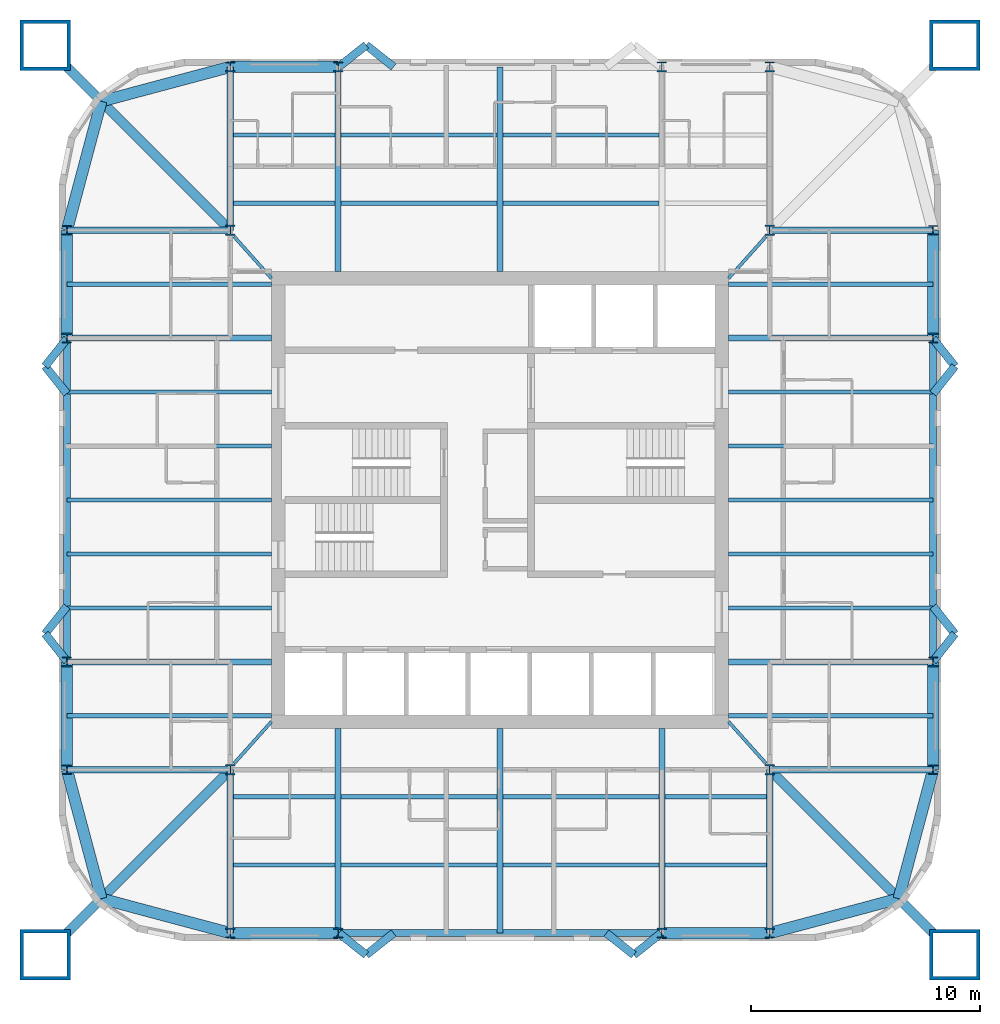
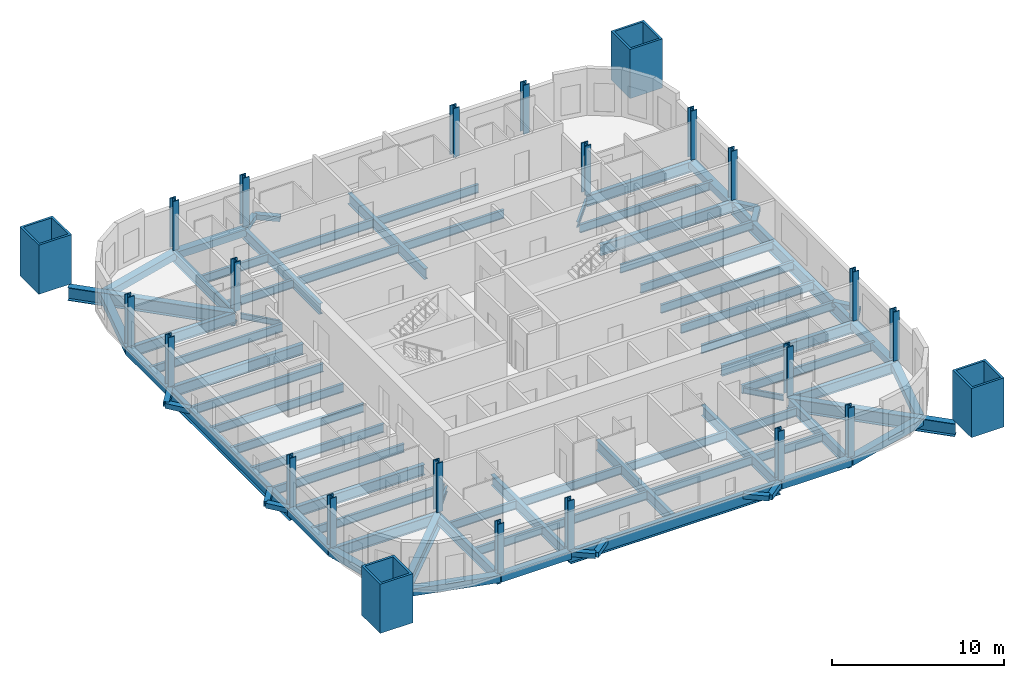
# One storey, part 1 of 9: 81 beams, 24 columns.
"""IFC4 building model written with IfcOpenShell, lengths in metres."""

import ifcopenshell
import ifcopenshell.guid

model = None  # the IFC model being written
_history = None  # IfcOwnerHistory: only IFC2X3 demands one
_inside = {}  # id of a spatial element -> (the spatial element, [elements in it])
_under = {}  # id of a project, library or spatial element -> (it, [spatial elements below it])
_declared = {}  # id of a project -> (the project, [libraries it declares])
_typed = {}  # id of a type object -> (the type object, [elements of that type])
_made_of = {}  # id of a material, layer set ... -> (it, [elements and type objects made of it])


def new_model(schema):
    """Start an empty IFC model of exactly this schema.

    Asked for "IFC4X3", IfcOpenShell would pick the latest addendum, in which some entities
    have other attributes; the version numbers below select the first issue.
    IFC2X3 requires an IfcOwnerHistory on every rooted entity: one is made here for all.
    """
    global model, _history
    if schema == "IFC4X3":
        model = ifcopenshell.file(schema_version=(4, 3, 0, 0))
    else:
        model = ifcopenshell.file(schema=schema)
    _inside.clear()
    _under.clear()
    _declared.clear()
    _typed.clear()
    _made_of.clear()
    _history = None
    if model.schema == "IFC2X3":
        org = make("IfcOrganization", Name="unknown")
        user = make(
            "IfcPersonAndOrganization",
            ThePerson=make("IfcPerson", FamilyName="unknown"),
            TheOrganization=org,
        )
        app = make(
            "IfcApplication",
            ApplicationDeveloper=org,
            Version="unknown",
            ApplicationFullName="unknown",
            ApplicationIdentifier="unknown",
        )
        _history = make(
            "IfcOwnerHistory",
            OwningUser=user,
            OwningApplication=app,
            ChangeAction="ADDED",
            CreationDate=0,
        )
    return model


def make(cls, **values):
    """One entity of the class cls with the attributes given. An attribute that is None is left unset."""
    return model.create_entity(
        cls, **{name: value for name, value in values.items() if value is not None}
    )


def rooted(cls, **values):
    """An entity with a GlobalId (a new one), such as an element, a storey or a relation."""
    return make(cls, GlobalId=ifcopenshell.guid.new(), OwnerHistory=_history, **values)


def si_unit(unit_type, name, prefix=None):
    """IfcSIUnit, for example si_unit("LENGTHUNIT", "METRE", prefix="MILLI")."""
    return make("IfcSIUnit", UnitType=unit_type, Prefix=prefix, Name=name)


def assignment(units):
    """IfcUnitAssignment: the units of a project."""
    return None if units is None else make("IfcUnitAssignment", Units=units)


def point(xyz):
    """IfcCartesianPoint."""
    return None if xyz is None else make("IfcCartesianPoint", Coordinates=xyz)


def direction(xyz):
    """IfcDirection."""
    return None if xyz is None else make("IfcDirection", DirectionRatios=xyz)


def frame(location, z_axis=None, x_axis=None):
    """IfcAxis2Placement3D, a coordinate frame: its origin and axes. An axis left out is left unset."""
    return make(
        "IfcAxis2Placement3D",
        Location=point(location),
        Axis=direction(z_axis),
        RefDirection=direction(x_axis),
    )


def frame_2d(location, x_axis=None):
    """IfcAxis2Placement2D, a coordinate frame in the plane: its origin and x axis."""
    return make(
        "IfcAxis2Placement2D", Location=point(location), RefDirection=direction(x_axis)
    )


def origin():
    """The frame at (0, 0, 0) with its axes left unset."""
    return frame((0.0, 0.0, 0.0))


def origin_2d():
    """The frame at (0, 0) in the plane with its x axis left unset."""
    return frame_2d((0.0, 0.0))


def place(relative_to, where):
    """IfcLocalPlacement: puts the frame where relative to a parent placement (None: the world)."""
    return make(
        "IfcLocalPlacement", PlacementRelTo=relative_to, RelativePlacement=where
    )


def context(
    kind, dimensions, precision=None, world=None, true_north=None, identifier=None
):
    """IfcGeometricRepresentationContext, for example the 3D "Model" context."""
    return make(
        "IfcGeometricRepresentationContext",
        ContextIdentifier=identifier,
        ContextType=kind,
        CoordinateSpaceDimension=dimensions,
        Precision=precision,
        WorldCoordinateSystem=world,
        TrueNorth=true_north,
    )


def subcontext(parent, identifier, kind, view, scale=None):
    """IfcGeometricRepresentationSubContext, for example "Body" below "Model"."""
    return make(
        "IfcGeometricRepresentationSubContext",
        ContextIdentifier=identifier,
        ContextType=kind,
        ParentContext=parent,
        TargetScale=scale,
        TargetView=view,
    )


def project(units=None, contexts=None):
    """IfcProject with its units and contexts."""
    return rooted(
        "IfcProject",
        Name="project",
        RepresentationContexts=contexts,
        UnitsInContext=assignment(units),
    )


def spatial(cls, under=None, at=None, **own):
    """A site, building, storey or space (cls), placed at a placement, below another one or the project."""
    s = rooted(cls, ObjectPlacement=at, **own)
    if under is not None:
        _under.setdefault(under.id(), (under, []))[1].append(s)
    return s


def profile(cls, at=None, kind="AREA", **sizes):
    """A parametric profile (cls). Its sizes go by their IFC names, for example OverallWidth=200.0."""
    return make(cls, ProfileType=kind, Position=at, **sizes)


def hollow_rectangle(**sizes):
    """IfcRectangleHollowProfileDef."""
    return profile("IfcRectangleHollowProfileDef", **sizes)


def i_section(**sizes):
    """IfcIShapeProfileDef."""
    return profile("IfcIShapeProfileDef", **sizes)


def extrude(swept, where, along, depth):
    """IfcExtrudedAreaSolid: the profile swept, set in the frame where, extruded along a direction by depth."""
    return make(
        "IfcExtrudedAreaSolid",
        SweptArea=swept,
        Position=where,
        ExtrudedDirection=direction(along),
        Depth=depth,
    )


def shape(context_of_items, identifier, shape_type, items):
    """IfcShapeRepresentation: the items that make up one representation, for example the "Body"."""
    return make(
        "IfcShapeRepresentation",
        ContextOfItems=context_of_items,
        RepresentationIdentifier=identifier,
        RepresentationType=shape_type,
        Items=items,
    )


def material(Name=None, Category=None):
    """IfcMaterial."""
    return make("IfcMaterial", Name=Name, Category=Category)


def material_profile(
    of_material, cross_section, Name=None, Category=None, Priority=None
):
    """IfcMaterialProfile: a cross section and its material."""
    return make(
        "IfcMaterialProfile",
        Name=Name,
        Material=of_material,
        Profile=cross_section,
        Priority=Priority,
        Category=Category,
    )


def profile_set(profiles, Name=None, composite=None):
    """IfcMaterialProfileSet."""
    return make(
        "IfcMaterialProfileSet",
        Name=Name,
        MaterialProfiles=profiles,
        CompositeProfile=composite,
    )


def made_of(thing, what):
    """Note that an element or type object is made of a material, layer set ...; save() writes the relation."""
    if what is not None:
        _made_of.setdefault(what.id(), (what, []))[1].append(thing)
    return thing


def type_object(cls, material=None, **own):
    """A type object (cls), such as IfcWallType, which elements share."""
    return made_of(rooted(cls, **own), material)


def element(
    cls,
    number,
    at=None,
    inside=None,
    cuts=None,
    type_object=None,
    material=None,
    context=None,
    identifier="Body",
    shape_type=None,
    held_by="IfcProductDefinitionShape",
    body=None,
    shapes=None,
    **own,
):
    """One element of the class cls, such as IfcWall. Its Tag is "e" and its number.

    at: its placement. inside: the storey or other place that contains it. cuts: it is an
    opening in that element (IfcRelVoidsElement). A single representation is given by context,
    identifier, shape_type and body (its items); several are given by shapes. held_by: the class
    of the entity that holds the representations. save() writes the other relations.
    """
    e = rooted(cls, Tag="e%d" % number, ObjectPlacement=at, **own)
    if body is not None:
        shapes = [shape(context, identifier, shape_type, body)]
    if shapes is not None:
        e.Representation = make(held_by, Representations=shapes)
    if inside is not None:
        _inside.setdefault(inside.id(), (inside, []))[1].append(e)
    if cuts is not None:
        rooted(
            "IfcRelVoidsElement", RelatingBuildingElement=cuts, RelatedOpeningElement=e
        )
    if type_object is not None:
        _typed.setdefault(type_object.id(), (type_object, []))[1].append(e)
    return made_of(e, material)


def aggregate(whole, parts):
    """IfcRelAggregates: a whole, such as a stair, and the parts it consists of."""
    return rooted("IfcRelAggregates", RelatingObject=whole, RelatedObjects=parts)


def save(model, path):
    """Write the relations noted so far, then the file.

    IfcRelAggregates (storeys below a building ...), IfcRelContainedInSpatialStructure (elements
    in a storey), IfcRelDefinesByType, IfcRelAssociatesMaterial and IfcRelDeclares: one each for
    every whole, place, type object, material and project.
    """
    for whole, parts in _under.values():
        aggregate(whole, parts)
    for where, things in _inside.values():
        rooted(
            "IfcRelContainedInSpatialStructure",
            RelatedElements=things,
            RelatingStructure=where,
        )
    for kind, things in _typed.values():
        rooted("IfcRelDefinesByType", RelatedObjects=things, RelatingType=kind)
    for what, things in _made_of.values():
        rooted("IfcRelAssociatesMaterial", RelatedObjects=things, RelatingMaterial=what)
    for by, libraries in _declared.values():
        rooted("IfcRelDeclares", RelatingContext=by, RelatedDefinitions=libraries)
    model.write(path)


model = new_model("IFC4")

# Units and contexts
model_context = context("Model", 3, precision=1e-05, world=origin(), true_north=direction((0.0, 1.0)))
body_context = subcontext(model_context, "Body", "Model", "MODEL_VIEW")
ifc_project = project(units=[si_unit("LENGTHUNIT", "METRE"), si_unit("AREAUNIT", "SQUARE_METRE"), si_unit("VOLUMEUNIT", "CUBIC_METRE"), si_unit("PLANEANGLEUNIT", "RADIAN"), si_unit("MASSUNIT", "GRAM", prefix="KILO")], contexts=[model_context])

# Site, building, storey
site_placement = place(None, origin())
site = spatial("IfcSite", under=ifc_project, at=site_placement, CompositionType="ELEMENT")
building_placement = place(site_placement, origin())
building = spatial("IfcBuilding", under=site, at=building_placement, Name="Turquesa Mirador Hotel Tower", CompositionType="ELEMENT")
storey_placement = place(building_placement, frame((0.0, 0.0, 182.800048828125)))
storey = spatial("IfcBuildingStorey", under=building, at=storey_placement, Name="L49", CompositionType="ELEMENT", Elevation=182.800048828125)

# Columns
ifc_material_1 = material(Name="Steel ASTM A992 Grade 50", Category="steel")
ifc_material_profile_1 = material_profile(ifc_material_1, i_section(OverallWidth=0.411376953125, OverallDepth=0.434326171875, WebThickness=0.035888671875, FlangeThickness=0.057373046875, at=origin_2d()), Name="W14X311")
ifc_profile_set_1 = profile_set([ifc_material_profile_1], Name="Steel ASTM A992 Grade 50")
column_type_1 = type_object("IfcColumnType", Name="COLUMN W14X311", PredefinedType="COLUMN", material=ifc_profile_set_1)
for number, where, z_axis, x_axis, name in (
    (1, (36.050048828125, 33.199951171875, 0.0), (0.0, 0.0, 1.0), (1.0, 0.0, 0.0), "COL-L49-P--18.95--11.80"),
    (2, (36.050048828125, 37.919921875, 0.0), (0.0, 0.0, 1.0), (1.0, 0.0, 0.0), "COL-L49-P--18.95--7.08"),
    (3, (36.050048828125, 52.080078125, 0.0), (0.0, 0.0, 1.0), (1.0, 0.0, 0.0), "COL-L49-P--18.95-+7.08"),
    (4, (36.050048828125, 56.800048828125, 0.0), (0.0, 0.0, 1.0), (1.0, 0.0, 0.0), "COL-L49-P--18.95-+11.80"),
    (5, (43.199951171875, 26.050048828125, 0.0), (0.0, 0.0, 1.0), (1.0, 0.0, 0.0), "COL-L49-P--11.80--18.95"),
    (6, (43.199951171875, 63.949951171875, 0.0), (0.0, 0.0, 1.0), (1.0, 0.0, 0.0), "COL-L49-P--11.80-+18.95"),
    (7, (47.919921875, 26.050048828125, 0.0), (0.0, 0.0, 1.0), (1.0, 0.0, 0.0), "COL-L49-P--7.08--18.95"),
    (8, (47.919921875, 63.949951171875, 0.0), (0.0, 0.0, 1.0), (1.0, 0.0, 0.0), "COL-L49-P--7.08-+18.95"),
    (9, (62.080078125, 26.050048828125, 0.0), (0.0, 0.0, 1.0), (1.0, 0.0, 0.0), "COL-L49-P-+7.08--18.95"),
    (10, (62.080078125, 63.949951171875, 0.0), (0.0, 0.0, 1.0), (1.0, 0.0, 0.0), "COL-L49-P-+7.08-+18.95"),
    (11, (66.800048828125, 26.050048828125, 0.0), (0.0, 0.0, 1.0), (1.0, 0.0, 0.0), "COL-L49-P-+11.80--18.95"),
    (12, (66.800048828125, 63.949951171875, 0.0), (0.0, 0.0, 1.0), (1.0, 0.0, 0.0), "COL-L49-P-+11.80-+18.95"),
    (13, (73.949951171875, 33.199951171875, 0.0), (0.0, 0.0, 1.0), (1.0, 0.0, 0.0), "COL-L49-P-+18.95--11.80"),
    (14, (73.949951171875, 37.919921875, 0.0), (0.0, 0.0, 1.0), (1.0, 0.0, 0.0), "COL-L49-P-+18.95--7.08"),
    (15, (73.949951171875, 52.080078125, 0.0), (0.0, 0.0, 1.0), (1.0, 0.0, 0.0), "COL-L49-P-+18.95-+7.08"),
    (16, (73.949951171875, 56.800048828125, 0.0), (0.0, 0.0, 1.0), (1.0, 0.0, 0.0), "COL-L49-P-+18.95-+11.80"),
):
    element("IfcColumn", number, at=place(storey_placement, frame(where, z_axis=z_axis, x_axis=x_axis)), inside=storey, type_object=column_type_1, Name=name, PredefinedType="COLUMN", context=body_context, shape_type="SweptSolid", body=[
        extrude(i_section(OverallWidth=0.411376953125, OverallDepth=0.434326171875, WebThickness=0.035888671875, FlangeThickness=0.057373046875, at=origin_2d()), origin(), (0.0, 0.0, 1.0), 3.5),
    ])
ifc_material_2 = material(Name="Steel ASTM A992 Grade 50", Category="steel")
ifc_material_profile_2 = material_profile(ifc_material_2, i_section(OverallWidth=0.421630859375, OverallDepth=0.46484375, WebThickness=0.044921875, FlangeThickness=0.072509765625, at=origin_2d()), Name="W14X398")
ifc_profile_set_2 = profile_set([ifc_material_profile_2], Name="Steel ASTM A992 Grade 50")
column_type_2 = type_object("IfcColumnType", Name="COLUMN W14X398", PredefinedType="COLUMN", material=ifc_profile_set_2)
for number, where, z_axis, x_axis, name in (
    (17, (43.199951171875, 33.199951171875, 0.0), (0.0, 0.0, 1.0), (1.0, 0.0, 0.0), "COL-L49-K--11.80--11.80"),
    (18, (43.199951171875, 56.800048828125, 0.0), (0.0, 0.0, 1.0), (1.0, 0.0, 0.0), "COL-L49-K--11.80-+11.80"),
    (19, (66.800048828125, 33.199951171875, 0.0), (0.0, 0.0, 1.0), (1.0, 0.0, 0.0), "COL-L49-K-+11.80--11.80"),
    (20, (66.800048828125, 56.800048828125, 0.0), (0.0, 0.0, 1.0), (1.0, 0.0, 0.0), "COL-L49-K-+11.80-+11.80"),
):
    element("IfcColumn", number, at=place(storey_placement, frame(where, z_axis=z_axis, x_axis=x_axis)), inside=storey, type_object=column_type_2, Name=name, PredefinedType="COLUMN", context=body_context, shape_type="SweptSolid", body=[
        extrude(i_section(OverallWidth=0.421630859375, OverallDepth=0.46484375, WebThickness=0.044921875, FlangeThickness=0.072509765625, at=origin_2d()), origin(), (0.0, 0.0, 1.0), 3.5),
    ])
ifc_material_3 = material(Name="Steel ASTM A514 Grade Q", Category="steel")
ifc_material_profile_3 = material_profile(ifc_material_3, hollow_rectangle(XDim=2.199951171875, YDim=2.199951171875, WallThickness=0.14990234375, at=origin_2d()), Name="BOX2200X2200X150")
ifc_profile_set_3 = profile_set([ifc_material_profile_3], Name="Steel ASTM A514 Grade Q")
column_type_3 = type_object("IfcColumnType", Name="MEGA COLUMN BOX2200X2200X150", PredefinedType="COLUMN", material=ifc_profile_set_3)
for number, where, z_axis, x_axis, name in (
    (21, (74.89990234375, 64.89990234375, 0.0), (0.0, 0.0, 1.0), (1.0, 0.0, 0.0), "Mega column M1"),
    (22, (35.10009765625, 64.89990234375, 0.0), (0.0, 0.0, 1.0), (1.0, 0.0, 0.0), "Mega column M2"),
    (23, (35.10009765625, 25.10009765625, 0.0), (0.0, 0.0, 1.0), (1.0, 0.0, 0.0), "Mega column M3"),
    (24, (74.89990234375, 25.10009765625, 0.0), (0.0, 0.0, 1.0), (1.0, 0.0, 0.0), "Mega column M4"),
):
    element("IfcColumn", number, at=place(storey_placement, frame(where, z_axis=z_axis, x_axis=x_axis)), inside=storey, type_object=column_type_3, Name=name, PredefinedType="COLUMN", context=body_context, shape_type="SweptSolid", body=[
        extrude(hollow_rectangle(XDim=2.199951171875, YDim=2.199951171875, WallThickness=0.14990234375, at=origin_2d()), origin(), (0.0, 0.0, 1.0), 3.5),
    ])

# Beams
ifc_material_4 = material(Name="Steel ASTM A572 Grade 50", Category="steel")
ifc_material_profile_4 = material_profile(ifc_material_4, hollow_rectangle(XDim=0.5, YDim=0.5, WallThickness=0.01611328125, at=origin_2d()), Name="BOX500X500X16")
ifc_profile_set_4 = profile_set([ifc_material_profile_4], Name="Steel ASTM A572 Grade 50")
beam_type_1 = type_object("IfcBeamType", Name="BEAM BOX500X500X16", PredefinedType="BEAM", material=ifc_profile_set_4)
for number, where, z_axis, x_axis, name in (
    (25, (43.199951171875, 63.949951171875, -0.420166015625), (1.0, 0.0, 0.0), (0.0, 1.0, 0.0), "EB-L49-N-L"),
    (26, (43.199951171875, 26.050048828125, -0.420166015625), (1.0, 0.0, 0.0), (0.0, 1.0, 0.0), "EB-L49-S-L"),
    (27, (62.080078125, 26.050048828125, -0.420166015625), (1.0, 0.0, 0.0), (0.0, 1.0, 0.0), "EB-L49-S-R"),
    (28, (73.949951171875, 33.199951171875, -0.420166015625), (0.0, 1.0, 0.0), (-1.0, 0.0, 0.0), "EB-L49-E-L"),
    (29, (73.949951171875, 52.080078125, -0.420166015625), (0.0, 1.0, 0.0), (-1.0, 0.0, 0.0), "EB-L49-E-R"),
    (30, (36.050048828125, 33.199951171875, -0.420166015625), (0.0, 1.0, 0.0), (-1.0, 0.0, 0.0), "EB-L49-W-L"),
    (31, (36.050048828125, 52.080078125, -0.420166015625), (0.0, 1.0, 0.0), (-1.0, 0.0, 0.0), "EB-L49-W-R"),
):
    element("IfcBeam", number, at=place(storey_placement, frame(where, z_axis=z_axis, x_axis=x_axis)), inside=storey, type_object=beam_type_1, Name=name, PredefinedType="BEAM", context=body_context, shape_type="SweptSolid", body=[
        extrude(hollow_rectangle(XDim=0.5, YDim=0.5, WallThickness=0.01611328125, at=origin_2d()), origin(), (0.0, 0.0, 1.0), 4.719970703125),
    ])
for number, where, z_axis, x_axis, name in (
    (32, (36.050048828125, 56.800048828125, -0.420166015625), (0.258281892145, 0.966069595935, 0.0), (-0.966069595935, 0.258281892145, 0.0), "KE-L49-2-0"),
    (33, (37.558349609375, 62.441650390625, -0.420166015625), (0.966069595935, 0.258281892145, 0.0), (-0.258281892145, 0.966069595935, 0.0), "KE-L49-2-1"),
    (34, (36.050048828125, 33.199951171875, -0.420166015625), (0.258281892145, -0.966069595935, 0.0), (0.966069595935, 0.258281892145, 0.0), "KE-L49-3-0"),
    (35, (37.558349609375, 27.558349609375, -0.420166015625), (0.966069595935, -0.258281892145, 0.0), (0.258281892145, 0.966069595935, 0.0), "KE-L49-3-1"),
    (36, (73.949951171875, 33.199951171875, -0.420166015625), (-0.258281892145, -0.966069595935, 0.0), (0.966069595935, -0.258281892145, 0.0), "KE-L49-4-0"),
    (37, (72.441650390625, 27.558349609375, -0.420166015625), (-0.966069595935, -0.258281892145, 0.0), (0.258281892145, -0.966069595935, 0.0), "KE-L49-4-1"),
):
    element("IfcBeam", number, at=place(storey_placement, frame(where, z_axis=z_axis, x_axis=x_axis)), inside=storey, type_object=beam_type_1, Name=name, PredefinedType="BEAM", context=body_context, shape_type="SweptSolid", body=[
        extrude(hollow_rectangle(XDim=0.5, YDim=0.5, WallThickness=0.01611328125, at=origin_2d()), origin(), (0.0, 0.0, 1.0), 5.83984375),
    ])
ifc_material_5 = material(Name="Steel ASTM A992 Grade 50", Category="steel")
ifc_material_profile_5 = material_profile(ifc_material_5, i_section(OverallWidth=0.140380859375, OverallDepth=0.40380859375, WebThickness=0.007080078125, FlangeThickness=0.01123046875, at=origin_2d()), Name="W16X31")
ifc_profile_set_5 = profile_set([ifc_material_profile_5], Name="Steel ASTM A992 Grade 50")
beam_type_2 = type_object("IfcBeamType", Name="BEAM W16X31", PredefinedType="BEAM", material=ifc_profile_set_5)
for number, where, z_axis, x_axis, name in (
    (38, (66.634765625, 56.527099609375, -0.3720703125), (-0.666783216266, -0.745251730964, 0.0), (0.745251730964, -0.666783216266, 0.0), "KT-L49-1"),
    (39, (43.365234375, 56.527099609375, -0.3720703125), (0.666783216266, -0.745251730964, 0.0), (0.745251730964, 0.666783216266, 0.0), "KT-L49-2"),
    (40, (43.365234375, 33.472900390625, -0.3720703125), (0.666783216266, 0.745251730964, 0.0), (-0.745251730964, 0.666783216266, 0.0), "KT-L49-3"),
    (41, (66.634765625, 33.472900390625, -0.3720703125), (-0.666783216266, 0.745251730964, 0.0), (-0.745251730964, -0.666783216266, 0.0), "KT-L49-4"),
):
    element("IfcBeam", number, at=place(storey_placement, frame(where, z_axis=z_axis, x_axis=x_axis)), inside=storey, type_object=beam_type_2, Name=name, PredefinedType="BEAM", context=body_context, shape_type="SweptSolid", body=[
        extrude(i_section(OverallWidth=0.140380859375, OverallDepth=0.40380859375, WebThickness=0.007080078125, FlangeThickness=0.01123046875, at=origin_2d()), origin(), (0.0, 0.0, 1.0), 2.45166015625),
    ])
ifc_material_6 = material(Name="Steel ASTM A992 Grade 50", Category="steel")
ifc_material_profile_6 = material_profile(ifc_material_6, i_section(OverallWidth=0.177978515625, OverallDepth=0.599365234375, WebThickness=0.010009765625, FlangeThickness=0.012939453125, at=origin_2d()), Name="W24X55")
ifc_profile_set_6 = profile_set([ifc_material_profile_6], Name="Steel ASTM A992 Grade 50")
beam_type_3 = type_object("IfcBeamType", Name="BEAM W24X55", PredefinedType="BEAM", material=ifc_profile_set_6)
beam_1_placement = place(storey_placement, frame((43.333251953125, 57.98291015625, -0.4697265625), z_axis=(1.0, 0.0, 0.0), x_axis=(0.0, 1.0, 0.0)))
element("IfcBeam", 42, at=beam_1_placement, inside=storey, type_object=beam_type_3, Name="IB-L49-N-1-0", PredefinedType="BEAM", context=body_context, shape_type="SweptSolid", body=[
    extrude(i_section(OverallWidth=0.177978515625, OverallDepth=0.599365234375, WebThickness=0.010009765625, FlangeThickness=0.012939453125, at=origin_2d()), origin(), (0.0, 0.0, 1.0), 4.453369140625),
])
for number, where, z_axis, x_axis, name in (
    (43, (48.053466796875, 57.98291015625, -0.4697265625), (1.0, 0.0, 0.0), (0.0, 1.0, 0.0), "IB-L49-N-1-1"),
    (44, (55.13330078125, 57.98291015625, -0.4697265625), (1.0, 0.0, 0.0), (0.0, 1.0, 0.0), "IB-L49-N-1-2"),
):
    element("IfcBeam", number, at=place(storey_placement, frame(where, z_axis=z_axis, x_axis=x_axis)), inside=storey, type_object=beam_type_3, Name=name, PredefinedType="BEAM", context=body_context, shape_type="SweptSolid", body=[
        extrude(i_section(OverallWidth=0.177978515625, OverallDepth=0.599365234375, WebThickness=0.010009765625, FlangeThickness=0.012939453125, at=origin_2d()), origin(), (0.0, 0.0, 1.0), 6.813232421875),
    ])
beam_2_placement = place(storey_placement, frame((43.333251953125, 60.967041015625, -0.4697265625), z_axis=(1.0, 0.0, 0.0), x_axis=(0.0, 1.0, 0.0)))
element("IfcBeam", 45, at=beam_2_placement, inside=storey, type_object=beam_type_3, Name="IB-L49-N-2-0", PredefinedType="BEAM", context=body_context, shape_type="SweptSolid", body=[
    extrude(i_section(OverallWidth=0.177978515625, OverallDepth=0.599365234375, WebThickness=0.010009765625, FlangeThickness=0.012939453125, at=origin_2d()), origin(), (0.0, 0.0, 1.0), 4.453369140625),
])
for number, where, z_axis, x_axis, name in (
    (46, (48.053466796875, 60.967041015625, -0.4697265625), (1.0, 0.0, 0.0), (0.0, 1.0, 0.0), "IB-L49-N-2-1"),
    (47, (55.13330078125, 60.967041015625, -0.4697265625), (1.0, 0.0, 0.0), (0.0, 1.0, 0.0), "IB-L49-N-2-2"),
):
    element("IfcBeam", number, at=place(storey_placement, frame(where, z_axis=z_axis, x_axis=x_axis)), inside=storey, type_object=beam_type_3, Name=name, PredefinedType="BEAM", context=body_context, shape_type="SweptSolid", body=[
        extrude(i_section(OverallWidth=0.177978515625, OverallDepth=0.599365234375, WebThickness=0.010009765625, FlangeThickness=0.012939453125, at=origin_2d()), origin(), (0.0, 0.0, 1.0), 6.813232421875),
    ])
beam_3_placement = place(storey_placement, frame((43.333251953125, 32.01708984375, -0.4697265625), z_axis=(1.0, 0.0, 0.0), x_axis=(0.0, 1.0, 0.0)))
element("IfcBeam", 48, at=beam_3_placement, inside=storey, type_object=beam_type_3, Name="IB-L49-S-1-0", PredefinedType="BEAM", context=body_context, shape_type="SweptSolid", body=[
    extrude(i_section(OverallWidth=0.177978515625, OverallDepth=0.599365234375, WebThickness=0.010009765625, FlangeThickness=0.012939453125, at=origin_2d()), origin(), (0.0, 0.0, 1.0), 4.453369140625),
])
for number, where, z_axis, x_axis, name in (
    (49, (48.053466796875, 32.01708984375, -0.4697265625), (1.0, 0.0, 0.0), (0.0, 1.0, 0.0), "IB-L49-S-1-1"),
    (50, (55.13330078125, 32.01708984375, -0.4697265625), (1.0, 0.0, 0.0), (0.0, 1.0, 0.0), "IB-L49-S-1-2"),
):
    element("IfcBeam", number, at=place(storey_placement, frame(where, z_axis=z_axis, x_axis=x_axis)), inside=storey, type_object=beam_type_3, Name=name, PredefinedType="BEAM", context=body_context, shape_type="SweptSolid", body=[
        extrude(i_section(OverallWidth=0.177978515625, OverallDepth=0.599365234375, WebThickness=0.010009765625, FlangeThickness=0.012939453125, at=origin_2d()), origin(), (0.0, 0.0, 1.0), 6.813232421875),
    ])
for number, where, z_axis, x_axis, name in (
    (51, (62.21337890625, 32.01708984375, -0.4697265625), (1.0, 0.0, 0.0), (0.0, 1.0, 0.0), "IB-L49-S-1-3"),
    (52, (43.333251953125, 29.032958984375, -0.4697265625), (1.0, 0.0, 0.0), (0.0, 1.0, 0.0), "IB-L49-S-2-0"),
):
    element("IfcBeam", number, at=place(storey_placement, frame(where, z_axis=z_axis, x_axis=x_axis)), inside=storey, type_object=beam_type_3, Name=name, PredefinedType="BEAM", context=body_context, shape_type="SweptSolid", body=[
        extrude(i_section(OverallWidth=0.177978515625, OverallDepth=0.599365234375, WebThickness=0.010009765625, FlangeThickness=0.012939453125, at=origin_2d()), origin(), (0.0, 0.0, 1.0), 4.453369140625),
    ])
for number, where, z_axis, x_axis, name in (
    (53, (48.053466796875, 29.032958984375, -0.4697265625), (1.0, 0.0, 0.0), (0.0, 1.0, 0.0), "IB-L49-S-2-1"),
    (54, (55.13330078125, 29.032958984375, -0.4697265625), (1.0, 0.0, 0.0), (0.0, 1.0, 0.0), "IB-L49-S-2-2"),
):
    element("IfcBeam", number, at=place(storey_placement, frame(where, z_axis=z_axis, x_axis=x_axis)), inside=storey, type_object=beam_type_3, Name=name, PredefinedType="BEAM", context=body_context, shape_type="SweptSolid", body=[
        extrude(i_section(OverallWidth=0.177978515625, OverallDepth=0.599365234375, WebThickness=0.010009765625, FlangeThickness=0.012939453125, at=origin_2d()), origin(), (0.0, 0.0, 1.0), 6.813232421875),
    ])
beam_4_placement = place(storey_placement, frame((62.21337890625, 29.032958984375, -0.4697265625), z_axis=(1.0, 0.0, 0.0), x_axis=(0.0, 1.0, 0.0)))
element("IfcBeam", 55, at=beam_4_placement, inside=storey, type_object=beam_type_3, Name="IB-L49-S-2-3", PredefinedType="BEAM", context=body_context, shape_type="SweptSolid", body=[
    extrude(i_section(OverallWidth=0.177978515625, OverallDepth=0.599365234375, WebThickness=0.010009765625, FlangeThickness=0.012939453125, at=origin_2d()), origin(), (0.0, 0.0, 1.0), 4.453369140625),
])
for number, where, z_axis, x_axis, name in (
    (56, (73.949951171875, 35.56005859375, -0.4697265625), (-1.0, 0.0, 0.0), (0.0, -1.0, 0.0), "BM-L49-E--9.44"),
    (57, (73.949951171875, 40.280029296875, -0.4697265625), (-1.0, 0.0, 0.0), (0.0, -1.0, 0.0), "BM-L49-E--4.72"),
    (58, (73.949951171875, 42.639892578125, -0.4697265625), (-1.0, 0.0, 0.0), (0.0, -1.0, 0.0), "BM-L49-E--2.36"),
    (59, (73.949951171875, 45.0, -0.4697265625), (-1.0, 0.0, 0.0), (0.0, -1.0, 0.0), "BM-L49-E-+0.00"),
    (60, (73.949951171875, 47.360107421875, -0.4697265625), (-1.0, 0.0, 0.0), (0.0, -1.0, 0.0), "BM-L49-E-+2.36"),
    (61, (73.949951171875, 49.719970703125, -0.4697265625), (-1.0, 0.0, 0.0), (0.0, -1.0, 0.0), "BM-L49-E-+4.72"),
    (62, (73.949951171875, 54.43994140625, -0.4697265625), (-1.0, 0.0, 0.0), (0.0, -1.0, 0.0), "BM-L49-E-+9.44"),
    (63, (36.050048828125, 35.56005859375, -0.4697265625), (1.0, 0.0, 0.0), (0.0, 1.0, 0.0), "BM-L49-W--9.44"),
    (64, (36.050048828125, 40.280029296875, -0.4697265625), (1.0, 0.0, 0.0), (0.0, 1.0, 0.0), "BM-L49-W--4.72"),
    (65, (36.050048828125, 42.639892578125, -0.4697265625), (1.0, 0.0, 0.0), (0.0, 1.0, 0.0), "BM-L49-W--2.36"),
    (66, (36.050048828125, 45.0, -0.4697265625), (1.0, 0.0, 0.0), (0.0, 1.0, 0.0), "BM-L49-W-+0.00"),
    (67, (36.050048828125, 47.360107421875, -0.4697265625), (1.0, 0.0, 0.0), (0.0, 1.0, 0.0), "BM-L49-W-+2.36"),
    (68, (36.050048828125, 49.719970703125, -0.4697265625), (1.0, 0.0, 0.0), (0.0, 1.0, 0.0), "BM-L49-W-+4.72"),
    (69, (36.050048828125, 54.43994140625, -0.4697265625), (1.0, 0.0, 0.0), (0.0, 1.0, 0.0), "BM-L49-W-+9.44"),
):
    element("IfcBeam", number, at=place(storey_placement, frame(where, z_axis=z_axis, x_axis=x_axis)), inside=storey, type_object=beam_type_3, Name=name, PredefinedType="BEAM", context=body_context, shape_type="SweptSolid", body=[
        extrude(i_section(OverallWidth=0.177978515625, OverallDepth=0.599365234375, WebThickness=0.010009765625, FlangeThickness=0.012939453125, at=origin_2d()), origin(), (0.0, 0.0, 1.0), 8.949951171875),
    ])
ifc_material_7 = material(Name="Steel ASTM A992 Grade 50", Category="steel")
ifc_material_profile_7 = material_profile(ifc_material_7, i_section(OverallWidth=0.2666015625, OverallDepth=0.7568359375, WebThickness=0.013916015625, FlangeThickness=0.019287109375, at=origin_2d()), Name="W30X108")
ifc_profile_set_7 = profile_set([ifc_material_profile_7], Name="Steel ASTM A992 Grade 50")
beam_type_4 = type_object("IfcBeamType", Name="BEAM W30X108", PredefinedType="BEAM", material=ifc_profile_set_7)
for number, where, z_axis, x_axis, name in (
    (70, (47.919921875, 63.949951171875, -0.548583984375), (0.0, -1.0, 0.0), (1.0, 0.0, 0.0), "GD-L49-N--7.08"),
    (71, (55.0, 63.949951171875, -0.548583984375), (0.0, -1.0, 0.0), (1.0, 0.0, 0.0), "GD-L49-N-+0.00"),
):
    element("IfcBeam", number, at=place(storey_placement, frame(where, z_axis=z_axis, x_axis=x_axis)), inside=storey, type_object=beam_type_4, Name=name, PredefinedType="BEAM", context=body_context, shape_type="SweptSolid", body=[
        extrude(i_section(OverallWidth=0.2666015625, OverallDepth=0.7568359375, WebThickness=0.013916015625, FlangeThickness=0.019287109375, at=origin_2d()), origin(), (0.0, 0.0, 1.0), 8.949951171875),
    ])
beam_5_placement = place(storey_placement, frame((43.199951171875, 63.949951171875, -0.548583984375), z_axis=(0.0, -1.0, 0.0), x_axis=(1.0, 0.0, 0.0)))
element("IfcBeam", 72, at=beam_5_placement, inside=storey, type_object=beam_type_4, Name="GK-L49-N--11.80", PredefinedType="BEAM", context=body_context, shape_type="SweptSolid", body=[
    extrude(i_section(OverallWidth=0.2666015625, OverallDepth=0.7568359375, WebThickness=0.013916015625, FlangeThickness=0.019287109375, at=origin_2d()), origin(), (0.0, 0.0, 1.0), 7.14990234375),
])
for number, where, z_axis, x_axis, name in (
    (73, (47.919921875, 26.050048828125, -0.548583984375), (0.0, 1.0, 0.0), (-1.0, 0.0, 0.0), "GD-L49-S--7.08"),
    (74, (62.080078125, 26.050048828125, -0.548583984375), (0.0, 1.0, 0.0), (-1.0, 0.0, 0.0), "GD-L49-S-+7.08"),
    (75, (55.0, 26.050048828125, -0.548583984375), (0.0, 1.0, 0.0), (-1.0, 0.0, 0.0), "GD-L49-S-+0.00"),
):
    element("IfcBeam", number, at=place(storey_placement, frame(where, z_axis=z_axis, x_axis=x_axis)), inside=storey, type_object=beam_type_4, Name=name, PredefinedType="BEAM", context=body_context, shape_type="SweptSolid", body=[
        extrude(i_section(OverallWidth=0.2666015625, OverallDepth=0.7568359375, WebThickness=0.013916015625, FlangeThickness=0.019287109375, at=origin_2d()), origin(), (0.0, 0.0, 1.0), 8.949951171875),
    ])
for number, where, z_axis, x_axis, name in (
    (76, (43.199951171875, 26.050048828125, -0.548583984375), (0.0, 1.0, 0.0), (-1.0, 0.0, 0.0), "GK-L49-S--11.80"),
    (77, (66.800048828125, 26.050048828125, -0.548583984375), (0.0, 1.0, 0.0), (-1.0, 0.0, 0.0), "GK-L49-S-+11.80"),
):
    element("IfcBeam", number, at=place(storey_placement, frame(where, z_axis=z_axis, x_axis=x_axis)), inside=storey, type_object=beam_type_4, Name=name, PredefinedType="BEAM", context=body_context, shape_type="SweptSolid", body=[
        extrude(i_section(OverallWidth=0.2666015625, OverallDepth=0.7568359375, WebThickness=0.013916015625, FlangeThickness=0.019287109375, at=origin_2d()), origin(), (0.0, 0.0, 1.0), 7.14990234375),
    ])
for number, where, z_axis, x_axis, name in (
    (78, (73.949951171875, 37.919921875, -0.548583984375), (-1.0, 0.0, 0.0), (0.0, -1.0, 0.0), "GD-L49-E--7.08"),
    (79, (73.949951171875, 52.080078125, -0.548583984375), (-1.0, 0.0, 0.0), (0.0, -1.0, 0.0), "GD-L49-E-+7.08"),
):
    element("IfcBeam", number, at=place(storey_placement, frame(where, z_axis=z_axis, x_axis=x_axis)), inside=storey, type_object=beam_type_4, Name=name, PredefinedType="BEAM", context=body_context, shape_type="SweptSolid", body=[
        extrude(i_section(OverallWidth=0.2666015625, OverallDepth=0.7568359375, WebThickness=0.013916015625, FlangeThickness=0.019287109375, at=origin_2d()), origin(), (0.0, 0.0, 1.0), 8.949951171875),
    ])
for number, where, z_axis, x_axis, name in (
    (80, (73.949951171875, 33.199951171875, -0.548583984375), (-1.0, 0.0, 0.0), (0.0, -1.0, 0.0), "GK-L49-E--11.80"),
    (81, (73.949951171875, 56.800048828125, -0.548583984375), (-1.0, 0.0, 0.0), (0.0, -1.0, 0.0), "GK-L49-E-+11.80"),
):
    element("IfcBeam", number, at=place(storey_placement, frame(where, z_axis=z_axis, x_axis=x_axis)), inside=storey, type_object=beam_type_4, Name=name, PredefinedType="BEAM", context=body_context, shape_type="SweptSolid", body=[
        extrude(i_section(OverallWidth=0.2666015625, OverallDepth=0.7568359375, WebThickness=0.013916015625, FlangeThickness=0.019287109375, at=origin_2d()), origin(), (0.0, 0.0, 1.0), 7.14990234375),
    ])
for number, where, z_axis, x_axis, name in (
    (82, (36.050048828125, 37.919921875, -0.548583984375), (1.0, 0.0, 0.0), (0.0, 1.0, 0.0), "GD-L49-W--7.08"),
    (83, (36.050048828125, 52.080078125, -0.548583984375), (1.0, 0.0, 0.0), (0.0, 1.0, 0.0), "GD-L49-W-+7.08"),
):
    element("IfcBeam", number, at=place(storey_placement, frame(where, z_axis=z_axis, x_axis=x_axis)), inside=storey, type_object=beam_type_4, Name=name, PredefinedType="BEAM", context=body_context, shape_type="SweptSolid", body=[
        extrude(i_section(OverallWidth=0.2666015625, OverallDepth=0.7568359375, WebThickness=0.013916015625, FlangeThickness=0.019287109375, at=origin_2d()), origin(), (0.0, 0.0, 1.0), 8.949951171875),
    ])
for number, where, z_axis, x_axis, name in (
    (84, (36.050048828125, 33.199951171875, -0.548583984375), (1.0, 0.0, 0.0), (0.0, 1.0, 0.0), "GK-L49-W--11.80"),
    (85, (36.050048828125, 56.800048828125, -0.548583984375), (1.0, 0.0, 0.0), (0.0, 1.0, 0.0), "GK-L49-W-+11.80"),
):
    element("IfcBeam", number, at=place(storey_placement, frame(where, z_axis=z_axis, x_axis=x_axis)), inside=storey, type_object=beam_type_4, Name=name, PredefinedType="BEAM", context=body_context, shape_type="SweptSolid", body=[
        extrude(i_section(OverallWidth=0.2666015625, OverallDepth=0.7568359375, WebThickness=0.013916015625, FlangeThickness=0.019287109375, at=origin_2d()), origin(), (0.0, 0.0, 1.0), 7.14990234375),
    ])
ifc_material_8 = material(Name="Steel ASTM A992 Grade 50", Category="steel")
ifc_material_profile_8 = material_profile(ifc_material_8, i_section(OverallWidth=0.3046875, OverallDepth=0.911865234375, WebThickness=0.015869140625, FlangeThickness=0.02392578125, at=origin_2d()), Name="W36X150")
ifc_profile_set_8 = profile_set([ifc_material_profile_8], Name="Steel ASTM A992 Grade 50")
beam_type_5 = type_object("IfcBeamType", Name="BEAM W36X150", PredefinedType="BEAM", material=ifc_profile_set_8)
for number, where, z_axis, x_axis, name in (
    (86, (47.919921875, 26.050048828125, -0.6259765625), (1.0, 0.0, 0.0), (0.0, 1.0, 0.0), "EB-L49-S-C"),
    (87, (73.949951171875, 37.919921875, -0.6259765625), (0.0, 1.0, 0.0), (-1.0, 0.0, 0.0), "EB-L49-E-C"),
    (88, (36.050048828125, 37.919921875, -0.6259765625), (0.0, 1.0, 0.0), (-1.0, 0.0, 0.0), "EB-L49-W-C"),
):
    element("IfcBeam", number, at=place(storey_placement, frame(where, z_axis=z_axis, x_axis=x_axis)), inside=storey, type_object=beam_type_5, Name=name, PredefinedType="BEAM", context=body_context, shape_type="SweptSolid", body=[
        extrude(i_section(OverallWidth=0.3046875, OverallDepth=0.911865234375, WebThickness=0.015869140625, FlangeThickness=0.02392578125, at=origin_2d()), origin(), (0.0, 0.0, 1.0), 14.16015625),
    ])
ifc_material_9 = material(Name="Steel ASTM A992 Grade 50", Category="steel")
ifc_material_profile_9 = material_profile(ifc_material_9, i_section(OverallWidth=0.419189453125, OverallDepth=0.927001953125, WebThickness=0.019287109375, FlangeThickness=0.031982421875, at=origin_2d()), Name="W36X231")
ifc_profile_set_9 = profile_set([ifc_material_profile_9], Name="Steel ASTM A992 Grade 50")
beam_type_6 = type_object("IfcBeamType", Name="BEAM W36X231", PredefinedType="BEAM", material=ifc_profile_set_9)
for number, where, z_axis, x_axis, name in (
    (89, (43.199951171875, 56.800048828125, -0.633544921875), (-0.707106781187, 0.707106781187, 0.0), (-0.707106781187, -0.707106781187, 0.0), "KD-L49-2"),
    (90, (43.199951171875, 33.199951171875, -0.633544921875), (-0.707106781187, -0.707106781187, 0.0), (0.707106781187, -0.707106781187, 0.0), "KD-L49-3"),
    (91, (66.800048828125, 33.199951171875, -0.633544921875), (0.707106781187, -0.707106781187, 0.0), (0.707106781187, 0.707106781187, 0.0), "KD-L49-4"),
):
    element("IfcBeam", number, at=place(storey_placement, frame(where, z_axis=z_axis, x_axis=x_axis)), inside=storey, type_object=beam_type_6, Name=name, PredefinedType="BEAM", context=body_context, shape_type="SweptSolid", body=[
        extrude(i_section(OverallWidth=0.419189453125, OverallDepth=0.927001953125, WebThickness=0.019287109375, FlangeThickness=0.031982421875, at=origin_2d()), origin(), (0.0, 0.0, 1.0), 10.080322265625),
    ])
ifc_material_10 = material(Name="Steel ASTM A500 Grade C", Category="steel")
ifc_material_profile_10 = material_profile(ifc_material_10, hollow_rectangle(XDim=0.355712890625, YDim=0.355712890625, WallThickness=0.0146484375, at=origin_2d()), Name="HSS14X14X5/8")
ifc_profile_set_10 = profile_set([ifc_material_profile_10], Name="Steel ASTM A500 Grade C")
beam_type_7 = type_object("IfcBeamType", Name="BRACE STRUT HSS14X14X5/8", PredefinedType="BEAM", material=ifc_profile_set_10)
beam_6_placement = place(storey_placement, frame((49.14697265625, 64.89990234375, -0.347900390625), z_axis=(-0.784049059149, -0.620698858423, 0.0), x_axis=(0.620698858423, -0.784049059149, 0.0)))
element("IfcBeam", 92, at=beam_6_placement, inside=storey, type_object=beam_type_7, Name="Brace strut", PredefinedType="BEAM", context=body_context, shape_type="SweptSolid", body=[
    extrude(hollow_rectangle(XDim=0.355712890625, YDim=0.355712890625, WallThickness=0.0146484375, at=origin_2d()), origin(), (0.0, 0.0, 1.0), 1.530517578125),
])
beam_7_placement = place(storey_placement, frame((49.14697265625, 64.89990234375, -0.347900390625), z_axis=(0.784110506071, -0.620621232531, 0.0), x_axis=(0.620621232531, 0.784110506071, 0.0)))
element("IfcBeam", 93, at=beam_7_placement, inside=storey, type_object=beam_type_7, Name="Brace strut", PredefinedType="BEAM", context=body_context, shape_type="SweptSolid", body=[
    extrude(hollow_rectangle(XDim=0.355712890625, YDim=0.355712890625, WallThickness=0.0146484375, at=origin_2d()), origin(), (0.0, 0.0, 1.0), 1.53076171875),
])
beam_8_placement = place(storey_placement, frame((49.14697265625, 25.10009765625, -0.347900390625), z_axis=(-0.784049059149, 0.620698858423, 0.0), x_axis=(-0.620698858423, -0.784049059149, 0.0)))
element("IfcBeam", 94, at=beam_8_placement, inside=storey, type_object=beam_type_7, Name="Brace strut", PredefinedType="BEAM", context=body_context, shape_type="SweptSolid", body=[
    extrude(hollow_rectangle(XDim=0.355712890625, YDim=0.355712890625, WallThickness=0.0146484375, at=origin_2d()), origin(), (0.0, 0.0, 1.0), 1.530517578125),
])
for number, where, z_axis, x_axis, name in (
    (95, (49.14697265625, 25.10009765625, -0.347900390625), (0.784110506071, 0.620621232531, 0.0), (-0.620621232531, 0.784110506071, 0.0), "Brace strut"),
    (96, (60.85302734375, 25.10009765625, -0.347900390625), (-0.784110506071, 0.620621232531, 0.0), (-0.620621232531, -0.784110506071, 0.0), "Brace strut"),
):
    element("IfcBeam", number, at=place(storey_placement, frame(where, z_axis=z_axis, x_axis=x_axis)), inside=storey, type_object=beam_type_7, Name=name, PredefinedType="BEAM", context=body_context, shape_type="SweptSolid", body=[
        extrude(hollow_rectangle(XDim=0.355712890625, YDim=0.355712890625, WallThickness=0.0146484375, at=origin_2d()), origin(), (0.0, 0.0, 1.0), 1.53076171875),
    ])
for number, where, z_axis, x_axis, name in (
    (97, (60.85302734375, 25.10009765625, -0.347900390625), (0.784049059149, 0.620698858423, 0.0), (-0.620698858423, 0.784049059149, 0.0), "Brace strut"),
    (98, (74.89990234375, 39.14697265625, -0.347900390625), (-0.620698858423, -0.784049059149, 0.0), (0.784049059149, -0.620698858423, 0.0), "Brace strut"),
):
    element("IfcBeam", number, at=place(storey_placement, frame(where, z_axis=z_axis, x_axis=x_axis)), inside=storey, type_object=beam_type_7, Name=name, PredefinedType="BEAM", context=body_context, shape_type="SweptSolid", body=[
        extrude(hollow_rectangle(XDim=0.355712890625, YDim=0.355712890625, WallThickness=0.0146484375, at=origin_2d()), origin(), (0.0, 0.0, 1.0), 1.530517578125),
    ])
for number, where, z_axis, x_axis, name in (
    (99, (74.89990234375, 39.14697265625, -0.347900390625), (-0.620621232531, 0.784110506071, 0.0), (-0.784110506071, -0.620621232531, 0.0), "Brace strut"),
    (100, (74.89990234375, 50.85302734375, -0.347900390625), (-0.620621232531, -0.784110506071, 0.0), (0.784110506071, -0.620621232531, 0.0), "Brace strut"),
):
    element("IfcBeam", number, at=place(storey_placement, frame(where, z_axis=z_axis, x_axis=x_axis)), inside=storey, type_object=beam_type_7, Name=name, PredefinedType="BEAM", context=body_context, shape_type="SweptSolid", body=[
        extrude(hollow_rectangle(XDim=0.355712890625, YDim=0.355712890625, WallThickness=0.0146484375, at=origin_2d()), origin(), (0.0, 0.0, 1.0), 1.53076171875),
    ])
for number, where, z_axis, x_axis, name in (
    (101, (74.89990234375, 50.85302734375, -0.347900390625), (-0.620698858423, 0.784049059149, 0.0), (-0.784049059149, -0.620698858423, 0.0), "Brace strut"),
    (102, (35.10009765625, 39.14697265625, -0.347900390625), (0.620698858423, -0.784049059149, 0.0), (0.784049059149, 0.620698858423, 0.0), "Brace strut"),
):
    element("IfcBeam", number, at=place(storey_placement, frame(where, z_axis=z_axis, x_axis=x_axis)), inside=storey, type_object=beam_type_7, Name=name, PredefinedType="BEAM", context=body_context, shape_type="SweptSolid", body=[
        extrude(hollow_rectangle(XDim=0.355712890625, YDim=0.355712890625, WallThickness=0.0146484375, at=origin_2d()), origin(), (0.0, 0.0, 1.0), 1.530517578125),
    ])
for number, where, z_axis, x_axis, name in (
    (103, (35.10009765625, 39.14697265625, -0.347900390625), (0.620621232531, 0.784110506071, 0.0), (-0.784110506071, 0.620621232531, 0.0), "Brace strut"),
    (104, (35.10009765625, 50.85302734375, -0.347900390625), (0.620621232531, -0.784110506071, 0.0), (0.784110506071, 0.620621232531, 0.0), "Brace strut"),
):
    element("IfcBeam", number, at=place(storey_placement, frame(where, z_axis=z_axis, x_axis=x_axis)), inside=storey, type_object=beam_type_7, Name=name, PredefinedType="BEAM", context=body_context, shape_type="SweptSolid", body=[
        extrude(hollow_rectangle(XDim=0.355712890625, YDim=0.355712890625, WallThickness=0.0146484375, at=origin_2d()), origin(), (0.0, 0.0, 1.0), 1.53076171875),
    ])
beam_9_placement = place(storey_placement, frame((35.10009765625, 50.85302734375, -0.347900390625), z_axis=(0.620698858423, 0.784049059149, 0.0), x_axis=(-0.784049059149, 0.620698858423, 0.0)))
element("IfcBeam", 105, at=beam_9_placement, inside=storey, type_object=beam_type_7, Name="Brace strut", PredefinedType="BEAM", context=body_context, shape_type="SweptSolid", body=[
    extrude(hollow_rectangle(XDim=0.355712890625, YDim=0.355712890625, WallThickness=0.0146484375, at=origin_2d()), origin(), (0.0, 0.0, 1.0), 1.530517578125),
])

save(model, "model.ifc")
